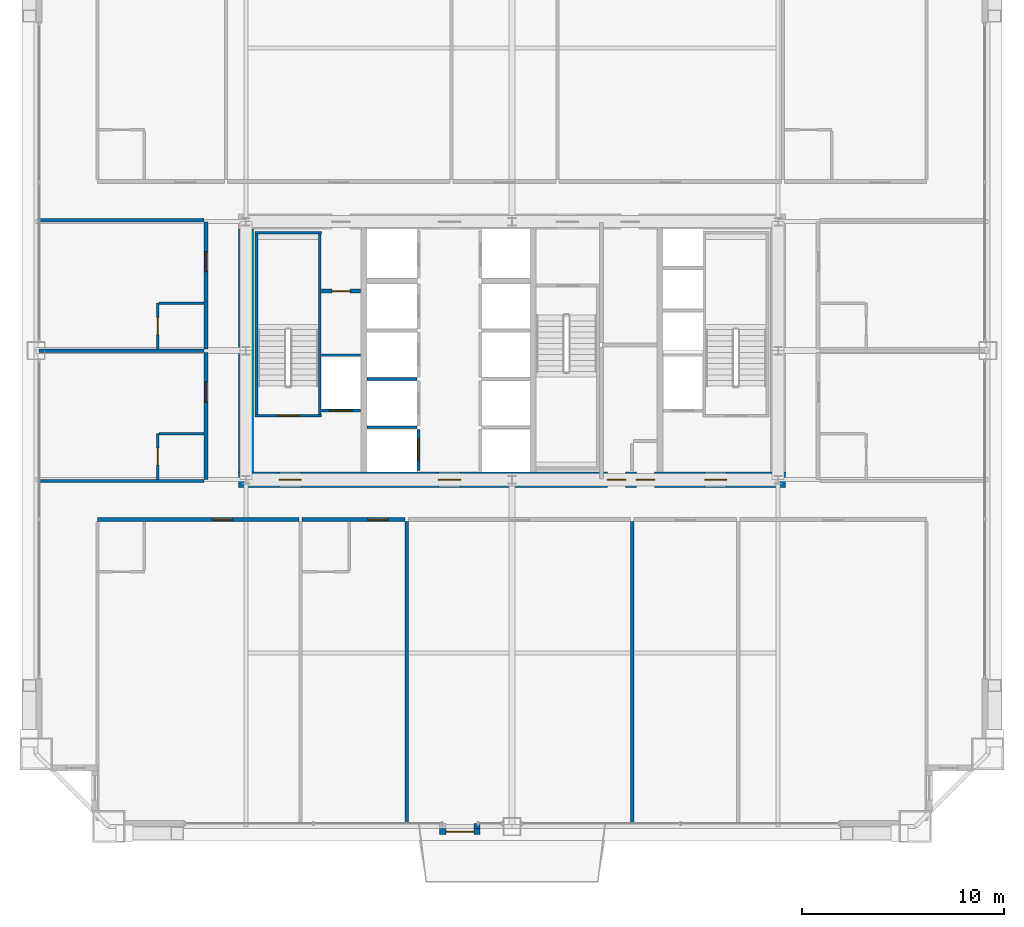
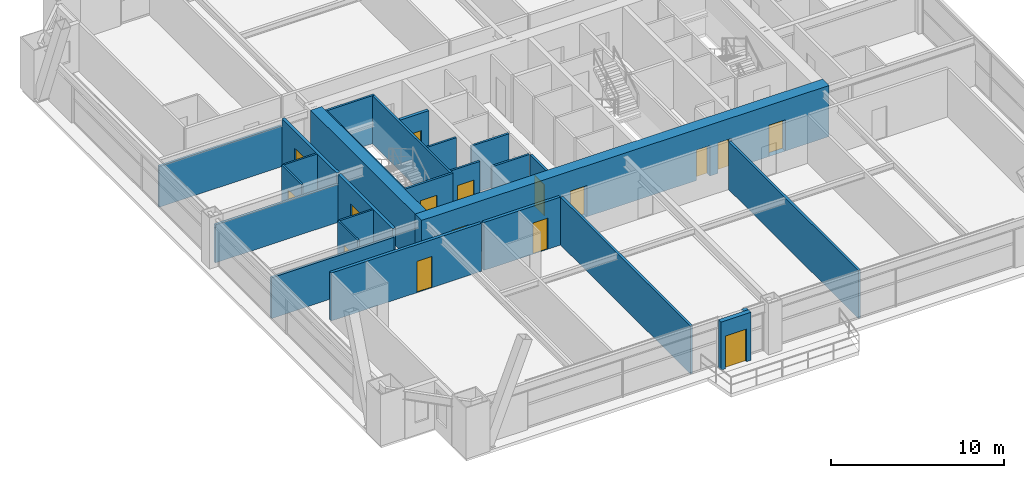
# One storey, part 39 of 43: 27 walls, 16 doors, 16 openings.
"""IFC4 building model written with IfcOpenShell, lengths in metres."""

from ifc_helpers import new_model, si_unit, direction, frame, frame_2d, origin, place, context, subcontext, project, spatial, rectangle, extrude, source, transform, mapped, material, layer, layer_set, type_object, element, fill, save


model = new_model("IFC4")

# Units and contexts
model_context = context("Model", 3, precision=1e-05, world=origin(), true_north=direction((0.0, 1.0)))
body_context = subcontext(model_context, "Body", "Model", "MODEL_VIEW")
ifc_project = project(units=[si_unit("LENGTHUNIT", "METRE"), si_unit("AREAUNIT", "SQUARE_METRE"), si_unit("VOLUMEUNIT", "CUBIC_METRE"), si_unit("PLANEANGLEUNIT", "RADIAN"), si_unit("MASSUNIT", "GRAM", prefix="KILO"), si_unit("THERMODYNAMICTEMPERATUREUNIT", "KELVIN"), si_unit("POWERUNIT", "WATT")], contexts=[model_context])

# Site, building, storey
site_placement = place(None, origin())
site = spatial("IfcSite", under=ifc_project, at=site_placement, CompositionType="ELEMENT")
building_placement = place(site_placement, origin())
building = spatial("IfcBuilding", under=site, at=building_placement, Name="Yuzanri Waterfront Tower", CompositionType="ELEMENT")
storey_placement = place(building_placement, frame((0.0, 0.0, 138.0)))
storey = spatial("IfcBuildingStorey", under=building, at=storey_placement, Name="L36", CompositionType="ELEMENT", Elevation=138.0)

# Wall, opening, door
ifc_material_1 = material(Name="Moisture-Resistant Gypsum Stud Wall", Category="gypsum")
ifc_layer_1 = layer(ifc_material_1, 0.1201171875)
ifc_layer_set_1 = layer_set([ifc_layer_1], Name="Moisture-Resistant Gypsum Stud Wall")
wall_type_1 = type_object("IfcWallType", Name="Bathroom and Kitchen Wet Partition 120", PredefinedType="PARTITIONING", material=ifc_layer_set_1)
wall_1_placement = place(storey_placement, frame((19.43994140625, 19.409912109375, 0.0), z_axis=(0.0, 0.0, 1.0), x_axis=(0.0, 1.0, 0.0)))
wall_1 = element("IfcWall", 1, at=wall_1_placement, inside=storey, type_object=wall_type_1, Name="L36 Partition UW-L36-W1-BW", PredefinedType="PARTITIONING", context=body_context, shape_type="SweptSolid", body=[
    extrude(rectangle(XDim=2.280029296875, YDim=0.1201171875, at=frame_2d((1.14013671875, 0.0))), origin(), (0.0, 0.0, 1.0), 3.3798828125),
])
opening_1_placement = place(wall_1_placement, frame((0.715087890625, 0.0, 0.0)))
opening_1 = element("IfcOpeningElement", 2, at=opening_1_placement, cuts=wall_1, Name="Opening ID-0850", PredefinedType="OPENING", context=body_context, shape_type="SweptSolid", body=[
    extrude(rectangle(XDim=0.85009765625, YDim=2.10009765625, at=frame_2d((0.425048828125, 1.050048828125))), frame((0.0, 0.074951171875, 0.0), z_axis=(0.0, -1.0, 0.0), x_axis=(1.0, 0.0, 0.0)), (0.0, 0.0, 1.0), 0.14990234375),
])
ifc_material_2 = material(Name="Moisture-Resistant Lacquered Timber", Category="wood")
door_type_1 = type_object("IfcDoorType", Name="En-Suite Bathroom and Kitchen Swing Door 850x2100", OperationType="NOTDEFINED", PredefinedType="DOOR", material=ifc_material_2)
shared_shape_1 = source(origin(), body_context, "Body", "SweptSolid", [
    extrude(rectangle(XDim=0.85009765625, YDim=2.10009765625, at=frame_2d((0.425048828125, 1.050048828125))), frame((0.0, 0.02490234375, 0.0), z_axis=(0.0, -1.0, 0.0), x_axis=(1.0, 0.0, 0.0)), (0.0, 0.0, 1.0), 0.050048828125),
])
door_1_placement = place(opening_1_placement, origin())
door_1 = element("IfcDoor", 3, at=door_1_placement, inside=storey, type_object=door_type_1, Name="L36 Guest En-Suite Door", OperationType="SINGLE_SWING_LEFT", OverallHeight=2.10009765625, OverallWidth=0.85009765625, PredefinedType="DOOR", context=body_context, shape_type="MappedRepresentation", body=[
    mapped(shared_shape_1, transform((0.0, 0.0, 0.0), scale=1.0)),
])
fill(opening_1, door_1)

wall_2_placement = place(storey_placement, frame((19.43994140625, 25.8798828125, 0.0), z_axis=(0.0, 0.0, 1.0), x_axis=(0.0, 1.0, 0.0)))
wall_2 = element("IfcWall", 4, at=wall_2_placement, inside=storey, type_object=wall_type_1, Name="L36 Partition UW-L36-W2-BW", PredefinedType="PARTITIONING", context=body_context, shape_type="SweptSolid", body=[
    extrude(rectangle(XDim=2.280029296875, YDim=0.1201171875, at=frame_2d((1.14013671875, 0.0))), origin(), (0.0, 0.0, 1.0), 3.3798828125),
])
opening_2_placement = place(wall_2_placement, frame((0.715087890625, 0.0, 0.0)))
opening_2 = element("IfcOpeningElement", 5, at=opening_2_placement, cuts=wall_2, Name="Opening ID-0850", PredefinedType="OPENING", context=body_context, shape_type="SweptSolid", body=[
    extrude(rectangle(XDim=0.85009765625, YDim=2.10009765625, at=frame_2d((0.425048828125, 1.050048828125))), frame((0.0, 0.074951171875, 0.0), z_axis=(0.0, -1.0, 0.0), x_axis=(1.0, 0.0, 0.0)), (0.0, 0.0, 1.0), 0.14990234375),
])
door_2_placement = place(opening_2_placement, origin())
door_2 = element("IfcDoor", 6, at=door_2_placement, inside=storey, type_object=door_type_1, Name="L36 Guest En-Suite Door", OperationType="SINGLE_SWING_LEFT", OverallHeight=2.10009765625, OverallWidth=0.85009765625, PredefinedType="DOOR", context=body_context, shape_type="MappedRepresentation", body=[
    mapped(shared_shape_1, transform((0.0, 0.0, 0.0), scale=1.0)),
])
fill(opening_2, door_2)

ifc_material_3 = material(Name="Honed Chongqing Dark Basalt Stone", Category="masonry")
ifc_layer_2 = layer(ifc_material_3, 0.300048828125)
ifc_layer_set_2 = layer_set([ifc_layer_2], Name="Honed Chongqing Dark Basalt Stone")
wall_type_2 = type_object("IfcWallType", Name="Bronze Rainscreen Insulated Spandrel Portal Wall 300", PredefinedType="SOLIDWALL", material=ifc_layer_set_2)
wall_3_placement = place(storey_placement, frame((33.416015625, 1.949951171875, 0.0), z_axis=(0.0, 0.0, 1.0), x_axis=(1.0, 0.0, 0.0)))
wall_3 = element("IfcWall", 7, at=wall_3_placement, inside=storey, type_object=wall_type_2, Name="L36 S Terrace Door Portal Wall", PredefinedType="SOLIDWALL", context=body_context, shape_type="SweptSolid", body=[
    extrude(rectangle(XDim=2.0, YDim=0.300048828125, at=frame_2d((1.0, 0.0))), origin(), (0.0, 0.0, 1.0), 3.3798828125),
])
opening_3_placement = place(wall_3_placement, frame((0.300048828125, 0.0, 0.0)))
opening_3 = element("IfcOpeningElement", 8, at=opening_3_placement, cuts=wall_3, Name="Opening TD-1400", PredefinedType="OPENING", context=body_context, shape_type="SweptSolid", body=[
    extrude(rectangle(XDim=1.39990234375, YDim=2.300048828125, at=frame_2d((0.699951171875, 1.14990234375))), frame((0.0, 0.1650390625, 0.0), z_axis=(0.0, -1.0, 0.0), x_axis=(1.0, 0.0, 0.0)), (0.0, 0.0, 1.0), 0.329833984375),
])
ifc_material_4 = material(Name="Anodized Architectural Bronze", Category="metal")
door_type_2 = type_object("IfcDoorType", Name="Anodized Bronze Balcony and Terrace Glazed Double Door 1400x2300", OperationType="NOTDEFINED", PredefinedType="DOOR", material=ifc_material_4)
shared_shape_2 = source(origin(), body_context, "Body", "SweptSolid", [
    extrude(rectangle(XDim=1.39990234375, YDim=2.300048828125, at=frame_2d((0.699951171875, 1.14990234375))), frame((0.0, 0.02490234375, 0.0), z_axis=(0.0, -1.0, 0.0), x_axis=(1.0, 0.0, 0.0)), (0.0, 0.0, 1.0), 0.050048828125),
])
door_3_placement = place(opening_3_placement, origin())
door_3 = element("IfcDoor", 9, at=door_3_placement, inside=storey, type_object=door_type_2, Name="L36 S Terrace Glazed Double Door", OperationType="DOUBLE_DOOR_SINGLE_SWING", OverallHeight=2.300048828125, OverallWidth=1.39990234375, PredefinedType="DOOR", context=body_context, shape_type="MappedRepresentation", body=[
    mapped(shared_shape_2, transform((0.0, 0.0, 0.0), scale=1.0)),
])
fill(opening_3, door_3)

# Wall, openings, doors
ifc_material_5 = material(Name="Concrete C55", Category="concrete")
ifc_layer_3 = layer(ifc_material_5, 0.75)
ifc_layer_set_3 = layer_set([ifc_layer_3], Name="Concrete C55")
wall_type_3 = type_object("IfcWallType", Name="Concrete C55 Low-Mid Zone Core Shear Wall 750", PredefinedType="SHEAR", material=ifc_layer_set_3)
wall_4_placement = place(storey_placement, frame((23.425048828125, 19.39990234375, 0.0), z_axis=(0.0, 0.0, 1.0), x_axis=(1.0, 0.0, 0.0)))
wall_4 = element("IfcWall", 10, at=wall_4_placement, inside=storey, type_object=wall_type_3, Name="L36 Core South Shear Wall", PredefinedType="SHEAR", context=body_context, shape_type="SweptSolid", body=[
    extrude(rectangle(XDim=27.14990234375, YDim=0.75, at=frame_2d((13.574951171875, 0.0))), origin(), (0.0, 0.0, 1.0), 3.60009765625),
])
opening_4_placement = place(wall_4_placement, frame((2.02490234375, 0.0, 0.0)))
opening_4 = element("IfcOpeningElement", 11, at=opening_4_placement, cuts=wall_4, Name="Opening FD-1100", PredefinedType="OPENING", context=body_context, shape_type="SweptSolid", body=[
    extrude(rectangle(XDim=1.10009765625, YDim=2.199951171875, at=frame_2d((0.550048828125, 1.10009765625))), frame((0.0, 0.389892578125, 0.0), z_axis=(0.0, -1.0, 0.0), x_axis=(1.0, 0.0, 0.0)), (0.0, 0.0, 1.0), 0.77978515625),
])
opening_5_placement = place(wall_4_placement, frame((9.925048828125, 0.0, 0.0)))
opening_5 = element("IfcOpeningElement", 12, at=opening_5_placement, cuts=wall_4, Name="Opening FD-1100", PredefinedType="OPENING", context=body_context, shape_type="SweptSolid", body=[
    extrude(rectangle(XDim=1.10009765625, YDim=2.199951171875, at=frame_2d((0.550048828125, 1.10009765625))), frame((0.0, 0.389892578125, 0.0), z_axis=(0.0, -1.0, 0.0), x_axis=(1.0, 0.0, 0.0)), (0.0, 0.0, 1.0), 0.77978515625),
])
opening_6_placement = place(wall_4_placement, frame((23.125, 0.0, 0.0)))
opening_6 = element("IfcOpeningElement", 13, at=opening_6_placement, cuts=wall_4, Name="Opening FD-1100", PredefinedType="OPENING", context=body_context, shape_type="SweptSolid", body=[
    extrude(rectangle(XDim=1.10009765625, YDim=2.199951171875, at=frame_2d((0.550048828125, 1.10009765625))), frame((0.0, 0.389892578125, 0.0), z_axis=(0.0, -1.0, 0.0), x_axis=(1.0, 0.0, 0.0)), (0.0, 0.0, 1.0), 0.77978515625),
])
opening_7_placement = place(wall_4_placement, frame((19.7451171875, 0.0, 0.0)))
opening_7 = element("IfcOpeningElement", 14, at=opening_7_placement, cuts=wall_4, Name="Opening FD-0900", PredefinedType="OPENING", context=body_context, shape_type="SweptSolid", body=[
    extrude(rectangle(XDim=0.89990234375, YDim=2.14990234375, at=frame_2d((0.449951171875, 1.074951171875))), frame((0.0, 0.389892578125, 0.0), z_axis=(0.0, -1.0, 0.0), x_axis=(1.0, 0.0, 0.0)), (0.0, 0.0, 1.0), 0.77978515625),
])
opening_8_placement = place(wall_4_placement, frame((18.304931640625, 0.0, 0.0)))
opening_8 = element("IfcOpeningElement", 15, at=opening_8_placement, cuts=wall_4, Name="Opening FD-0900", PredefinedType="OPENING", context=body_context, shape_type="SweptSolid", body=[
    extrude(rectangle(XDim=0.89990234375, YDim=2.14990234375, at=frame_2d((0.449951171875, 1.074951171875))), frame((0.0, 0.389892578125, 0.0), z_axis=(0.0, -1.0, 0.0), x_axis=(1.0, 0.0, 0.0)), (0.0, 0.0, 1.0), 0.77978515625),
])
ifc_material_6 = material(Name="Painted Galvanized Fire Steel", Category="steel")
door_type_3 = type_object("IfcDoorType", Name="Smoke-Proof Stair and Lobby Fire Door 1100x2200", OperationType="NOTDEFINED", PredefinedType="DOOR", material=ifc_material_6)
shared_shape_3 = source(origin(), body_context, "Body", "SweptSolid", [
    extrude(rectangle(XDim=1.10009765625, YDim=2.199951171875, at=frame_2d((0.550048828125, 1.10009765625))), frame((0.0, 0.02490234375, 0.0), z_axis=(0.0, -1.0, 0.0), x_axis=(1.0, 0.0, 0.0)), (0.0, 0.0, 1.0), 0.050048828125),
])
door_4_placement = place(opening_4_placement, origin())
door_4 = element("IfcDoor", 16, at=door_4_placement, inside=storey, type_object=door_type_3, Name="L36 West Firefighting Lobby Door", OperationType="SINGLE_SWING_RIGHT", OverallHeight=2.199951171875, OverallWidth=1.10009765625, PredefinedType="DOOR", context=body_context, shape_type="MappedRepresentation", body=[
    mapped(shared_shape_3, transform((0.0, 0.0, 0.0), scale=1.0)),
])
fill(opening_4, door_4)
door_5_placement = place(opening_5_placement, origin())
door_5 = element("IfcDoor", 17, at=door_5_placement, inside=storey, type_object=door_type_3, Name="L36 Central Lift Lobby South Door", OperationType="SINGLE_SWING_LEFT", OverallHeight=2.199951171875, OverallWidth=1.10009765625, PredefinedType="DOOR", context=body_context, shape_type="MappedRepresentation", body=[
    mapped(shared_shape_3, transform((0.0, 0.0, 0.0), scale=1.0)),
])
fill(opening_5, door_5)
door_6_placement = place(opening_6_placement, origin())
door_6 = element("IfcDoor", 18, at=door_6_placement, inside=storey, type_object=door_type_3, Name="L36 East Firefighting Lobby Door", OperationType="SINGLE_SWING_RIGHT", OverallHeight=2.199951171875, OverallWidth=1.10009765625, PredefinedType="DOOR", context=body_context, shape_type="MappedRepresentation", body=[
    mapped(shared_shape_3, transform((0.0, 0.0, 0.0), scale=1.0)),
])
fill(opening_6, door_6)
ifc_material_7 = material(Name="Painted Galvanized Fire Steel", Category="steel")
door_type_4 = type_object("IfcDoorType", Name="Riser and Service Room Fire Door 900x2150", OperationType="NOTDEFINED", PredefinedType="DOOR", material=ifc_material_7)
shared_shape_4 = source(origin(), body_context, "Body", "SweptSolid", [
    extrude(rectangle(XDim=0.89990234375, YDim=2.14990234375, at=frame_2d((0.449951171875, 1.074951171875))), frame((0.0, 0.02490234375, 0.0), z_axis=(0.0, -1.0, 0.0), x_axis=(1.0, 0.0, 0.0)), (0.0, 0.0, 1.0), 0.050048828125),
])
door_7_placement = place(opening_7_placement, origin())
door_7 = element("IfcDoor", 19, at=door_7_placement, inside=storey, type_object=door_type_4, Name="L36 East Wet Riser Door", OperationType="SINGLE_SWING_LEFT", OverallHeight=2.14990234375, OverallWidth=0.89990234375, PredefinedType="DOOR", context=body_context, shape_type="MappedRepresentation", body=[
    mapped(shared_shape_4, transform((0.0, 0.0, 0.0), scale=1.0)),
])
fill(opening_7, door_7)
door_8_placement = place(opening_8_placement, origin())
door_8 = element("IfcDoor", 20, at=door_8_placement, inside=storey, type_object=door_type_4, Name="L36 Meter and Valve Store Room", OperationType="SINGLE_SWING_RIGHT", OverallHeight=2.14990234375, OverallWidth=0.89990234375, PredefinedType="DOOR", context=body_context, shape_type="MappedRepresentation", body=[
    mapped(shared_shape_4, transform((0.0, 0.0, 0.0), scale=1.0)),
])
fill(opening_8, door_8)

# Wall, opening, door
ifc_material_8 = material(Name="Concrete C40", Category="concrete")
ifc_layer_4 = layer(ifc_material_8, 0.139892578125)
ifc_layer_set_4 = layer_set([ifc_layer_4], Name="Concrete C40")
wall_type_4 = type_object("IfcWallType", Name="Core Stair Liner and Hoistway Shaft Wall 140", PredefinedType="SOLIDWALL", material=ifc_layer_set_4)
wall_5_placement = place(storey_placement, frame((27.56005859375, 22.830078125, 0.0), z_axis=(0.0, 0.0, 1.0), x_axis=(1.0, 0.0, 0.0)))
wall_5 = element("IfcWall", 21, at=wall_5_placement, inside=storey, type_object=wall_type_4, Name="L36 Lift FL-01 Front Shaft Wall", PredefinedType="SOLIDWALL", context=body_context, shape_type="SweptSolid", body=[
    extrude(rectangle(XDim=1.919921875, YDim=0.139892578125, at=frame_2d((0.9599609375, 0.0))), origin(), (0.0, 0.0, 1.0), 3.3798828125),
])
opening_9_placement = place(wall_5_placement, frame((0.409912109375, 0.0, 0.0)))
opening_9 = element("IfcOpeningElement", 22, at=opening_9_placement, cuts=wall_5, Name="Opening LD-FL-01", PredefinedType="OPENING", context=body_context, shape_type="SweptSolid", body=[
    extrude(rectangle(XDim=1.10009765625, YDim=2.199951171875, at=frame_2d((0.550048828125, 1.10009765625))), frame((0.0, 0.0849609375, 0.0), z_axis=(0.0, -1.0, 0.0), x_axis=(1.0, 0.0, 0.0)), (0.0, 0.0, 1.0), 0.169677734375),
])
ifc_material_9 = material(Name="Brushed Bronze and Stainless Steel Cab", Category="steel")
door_type_5 = type_object("IfcDoorType", Name="Center-Parting Bronze Lift Landing Sliding Door 1100x2200", OperationType="NOTDEFINED", PredefinedType="DOOR", material=ifc_material_9)
shared_shape_5 = source(origin(), body_context, "Body", "SweptSolid", [
    extrude(rectangle(XDim=1.10009765625, YDim=2.199951171875, at=frame_2d((0.550048828125, 1.10009765625))), frame((0.0, 0.02490234375, 0.0), z_axis=(0.0, -1.0, 0.0), x_axis=(1.0, 0.0, 0.0)), (0.0, 0.0, 1.0), 0.050048828125),
])
door_9_placement = place(opening_9_placement, origin())
door_9 = element("IfcDoor", 23, at=door_9_placement, inside=storey, type_object=door_type_5, Name="L36 FL-01 Lift Landing Sliding Door", OperationType="SLIDING_TO_LEFT", OverallHeight=2.199951171875, OverallWidth=1.10009765625, PredefinedType="DOOR", context=body_context, shape_type="MappedRepresentation", body=[
    mapped(shared_shape_5, transform((0.0, 0.0, 0.0), scale=1.0)),
])
fill(opening_9, door_9)

wall_6_placement = place(storey_placement, frame((32.3701171875, 19.860107421875, 0.0), z_axis=(0.0, 0.0, 1.0), x_axis=(0.0, 1.0, 0.0)))
wall_6 = element("IfcWall", 24, at=wall_6_placement, inside=storey, type_object=wall_type_4, Name="L36 Lift PL-01 Front Shaft Wall", PredefinedType="SOLIDWALL", context=body_context, shape_type="SweptSolid", body=[
    extrude(rectangle(XDim=2.039794921875, YDim=0.139892578125, at=frame_2d((1.02001953125, 0.0))), origin(), (0.0, 0.0, 1.0), 3.3798828125),
])
opening_10_placement = place(wall_6_placement, frame((0.469970703125, 0.0, 0.0)))
opening_10 = element("IfcOpeningElement", 25, at=opening_10_placement, cuts=wall_6, Name="Opening LD-PL-01", PredefinedType="OPENING", context=body_context, shape_type="SweptSolid", body=[
    extrude(rectangle(XDim=1.10009765625, YDim=2.199951171875, at=frame_2d((0.550048828125, 1.10009765625))), frame((0.0, 0.0849609375, 0.0), z_axis=(0.0, -1.0, 0.0), x_axis=(1.0, 0.0, 0.0)), (0.0, 0.0, 1.0), 0.169677734375),
])
door_10_placement = place(opening_10_placement, origin())
door_10 = element("IfcDoor", 26, at=door_10_placement, inside=storey, type_object=door_type_5, Name="L36 PL-01 Lift Landing Sliding Door", OperationType="SLIDING_TO_LEFT", OverallHeight=2.199951171875, OverallWidth=1.10009765625, PredefinedType="DOOR", context=body_context, shape_type="MappedRepresentation", body=[
    mapped(shared_shape_5, transform((0.0, 0.0, 0.0), scale=1.0)),
])
fill(opening_10, door_10)

wall_7_placement = place(storey_placement, frame((24.260009765625, 22.570068359375, 0.0), z_axis=(0.0, 0.0, 1.0), x_axis=(1.0, 0.0, 0.0)))
wall_7 = element("IfcWall", 27, at=wall_7_placement, inside=storey, type_object=wall_type_4, Name="L36 Shaft Wall STW-L36-ST-01-S", PredefinedType="SOLIDWALL", context=body_context, shape_type="SweptSolid", body=[
    extrude(rectangle(XDim=3.280029296875, YDim=0.139892578125, at=frame_2d((1.64013671875, 0.0))), origin(), (0.0, 0.0, 1.0), 3.3798828125),
])
opening_11_placement = place(wall_7_placement, frame((1.090087890625, 0.0, 0.0)))
opening_11 = element("IfcOpeningElement", 28, at=opening_11_placement, cuts=wall_7, Name="Opening FD-1100", PredefinedType="OPENING", context=body_context, shape_type="SweptSolid", body=[
    extrude(rectangle(XDim=1.10009765625, YDim=2.199951171875, at=frame_2d((0.550048828125, 1.10009765625))), frame((0.0, 0.0849609375, 0.0), z_axis=(0.0, -1.0, 0.0), x_axis=(1.0, 0.0, 0.0)), (0.0, 0.0, 1.0), 0.169677734375),
])
door_11_placement = place(opening_11_placement, origin())
door_11 = element("IfcDoor", 29, at=door_11_placement, inside=storey, type_object=door_type_3, Name="L36 Stair ST-01 Fire Door", OperationType="SINGLE_SWING_LEFT", OverallHeight=2.199951171875, OverallWidth=1.10009765625, PredefinedType="DOOR", context=body_context, shape_type="MappedRepresentation", body=[
    mapped(shared_shape_3, transform((0.0, 0.0, 0.0), scale=1.0)),
])
fill(opening_11, door_11)

ifc_material_10 = material(Name="Autoclaved Aerated Concrete Blockwork", Category="masonry")
ifc_layer_5 = layer(ifc_material_10, 0.199951171875)
ifc_layer_set_5 = layer_set([ifc_layer_5], Name="Autoclaved Aerated Concrete Blockwork")
wall_type_5 = type_object("IfcWallType", Name="Corridor and Unit Party Fire Wall 200", PredefinedType="PARTITIONING", material=ifc_layer_set_5)
wall_8_placement = place(storey_placement, frame((27.56005859375, 28.75, 0.0), z_axis=(0.0, 0.0, 1.0), x_axis=(1.0, 0.0, 0.0)))
wall_8 = element("IfcWall", 30, at=wall_8_placement, inside=storey, type_object=wall_type_5, Name="L36 Partition CRW-L36-ERTR", PredefinedType="PARTITIONING", context=body_context, shape_type="SweptSolid", body=[
    extrude(rectangle(XDim=1.919921875, YDim=0.199951171875, at=frame_2d((0.9599609375, 0.0))), origin(), (0.0, 0.0, 1.0), 3.3798828125),
])
opening_12_placement = place(wall_8_placement, frame((0.510009765625, 0.0, 0.0)))
opening_12 = element("IfcOpeningElement", 31, at=opening_12_placement, cuts=wall_8, Name="Opening FD-0900", PredefinedType="OPENING", context=body_context, shape_type="SweptSolid", body=[
    extrude(rectangle(XDim=0.89990234375, YDim=2.14990234375, at=frame_2d((0.449951171875, 1.074951171875))), frame((0.0, 0.11474609375, 0.0), z_axis=(0.0, -1.0, 0.0), x_axis=(1.0, 0.0, 0.0)), (0.0, 0.0, 1.0), 0.229736328125),
])
door_12_placement = place(opening_12_placement, origin())
door_12 = element("IfcDoor", 32, at=door_12_placement, inside=storey, type_object=door_type_4, Name="L36 Electrical Riser Door", OperationType="SINGLE_SWING_RIGHT", OverallHeight=2.14990234375, OverallWidth=0.89990234375, PredefinedType="DOOR", context=body_context, shape_type="MappedRepresentation", body=[
    mapped(shared_shape_4, transform((0.0, 0.0, 0.0), scale=1.0)),
])
fill(opening_12, door_12)

wall_9_placement = place(storey_placement, frame((16.43994140625, 17.419921875, 0.0), z_axis=(0.0, 0.0, 1.0), x_axis=(1.0, 0.0, 0.0)))
wall_9 = element("IfcWall", 33, at=wall_9_placement, inside=storey, type_object=wall_type_5, Name="L36 Partition UW-L36-S1-CN", PredefinedType="PARTITIONING", context=body_context, shape_type="SweptSolid", body=[
    extrude(rectangle(XDim=9.994140625, YDim=0.199951171875, at=frame_2d((4.9970703125, 0.0))), origin(), (0.0, 0.0, 1.0), 3.3798828125),
])
opening_13_placement = place(wall_9_placement, frame((5.701904296875, 0.0, 0.0)))
opening_13 = element("IfcOpeningElement", 34, at=opening_13_placement, cuts=wall_9, Name="Opening FD-1000", PredefinedType="OPENING", context=body_context, shape_type="SweptSolid", body=[
    extrude(rectangle(XDim=1.0, YDim=2.199951171875, at=frame_2d((0.5, 1.10009765625))), frame((0.0, 0.11474609375, 0.0), z_axis=(0.0, -1.0, 0.0), x_axis=(1.0, 0.0, 0.0)), (0.0, 0.0, 1.0), 0.229736328125),
])
ifc_material_11 = material(Name="Engineered Oak Fire-Rated Timber", Category="wood")
door_type_6 = type_object("IfcDoorType", Name="Guestroom and Apartment Entrance Fire Door 1000x2200", OperationType="NOTDEFINED", PredefinedType="DOOR", material=ifc_material_11)
shared_shape_6 = source(origin(), body_context, "Body", "SweptSolid", [
    extrude(rectangle(XDim=1.0, YDim=2.199951171875, at=frame_2d((0.5, 1.10009765625))), frame((0.0, 0.02490234375, 0.0), z_axis=(0.0, -1.0, 0.0), x_axis=(1.0, 0.0, 0.0)), (0.0, 0.0, 1.0), 0.050048828125),
])
door_13_placement = place(opening_13_placement, origin())
door_13 = element("IfcDoor", 35, at=door_13_placement, inside=storey, type_object=door_type_6, Name="L36 Junior Suite Entrance Door", OperationType="SINGLE_SWING_RIGHT", OverallHeight=2.199951171875, OverallWidth=1.0, PredefinedType="DOOR", context=body_context, shape_type="MappedRepresentation", body=[
    mapped(shared_shape_6, transform((0.0, 0.0, 0.0), scale=1.0)),
])
fill(opening_13, door_13)

wall_10_placement = place(storey_placement, frame((26.593994140625, 17.419921875, 0.0), z_axis=(0.0, 0.0, 1.0), x_axis=(1.0, 0.0, 0.0)))
wall_10 = element("IfcWall", 36, at=wall_10_placement, inside=storey, type_object=wall_type_5, Name="L36 Partition UW-L36-S2-CN", PredefinedType="PARTITIONING", context=body_context, shape_type="SweptSolid", body=[
    extrude(rectangle(XDim=5.10400390625, YDim=0.199951171875, at=frame_2d((2.552001953125, 0.0))), origin(), (0.0, 0.0, 1.0), 3.3798828125),
])
opening_14_placement = place(wall_10_placement, frame((3.257080078125, 0.0, 0.0)))
opening_14 = element("IfcOpeningElement", 37, at=opening_14_placement, cuts=wall_10, Name="Opening FD-1000", PredefinedType="OPENING", context=body_context, shape_type="SweptSolid", body=[
    extrude(rectangle(XDim=1.0, YDim=2.199951171875, at=frame_2d((0.5, 1.10009765625))), frame((0.0, 0.11474609375, 0.0), z_axis=(0.0, -1.0, 0.0), x_axis=(1.0, 0.0, 0.0)), (0.0, 0.0, 1.0), 0.229736328125),
])
door_14_placement = place(opening_14_placement, origin())
door_14 = element("IfcDoor", 38, at=door_14_placement, inside=storey, type_object=door_type_6, Name="L36 Junior Suite Entrance Door", OperationType="SINGLE_SWING_RIGHT", OverallHeight=2.199951171875, OverallWidth=1.0, PredefinedType="DOOR", context=body_context, shape_type="MappedRepresentation", body=[
    mapped(shared_shape_6, transform((0.0, 0.0, 0.0), scale=1.0)),
])
fill(opening_14, door_14)

wall_11_placement = place(storey_placement, frame((21.820068359375, 19.409912109375, 0.0), z_axis=(0.0, 0.0, 1.0), x_axis=(0.0, 1.0, 0.0)))
wall_11 = element("IfcWall", 39, at=wall_11_placement, inside=storey, type_object=wall_type_5, Name="L36 Partition UW-L36-W1-CW", PredefinedType="PARTITIONING", context=body_context, shape_type="SweptSolid", body=[
    extrude(rectangle(XDim=6.31005859375, YDim=0.199951171875, at=frame_2d((3.155029296875, 0.0))), origin(), (0.0, 0.0, 1.0), 3.3798828125),
])
opening_15_placement = place(wall_11_placement, frame((3.8349609375, 0.0, 0.0)))
opening_15 = element("IfcOpeningElement", 40, at=opening_15_placement, cuts=wall_11, Name="Opening FD-1000", PredefinedType="OPENING", context=body_context, shape_type="SweptSolid", body=[
    extrude(rectangle(XDim=1.0, YDim=2.199951171875, at=frame_2d((0.5, 1.10009765625))), frame((0.0, 0.11474609375, 0.0), z_axis=(0.0, -1.0, 0.0), x_axis=(1.0, 0.0, 0.0)), (0.0, 0.0, 1.0), 0.229736328125),
])
door_15_placement = place(opening_15_placement, origin())
door_15 = element("IfcDoor", 41, at=door_15_placement, inside=storey, type_object=door_type_6, Name="L36 West Guest Room Entrance Door", OperationType="SINGLE_SWING_RIGHT", OverallHeight=2.199951171875, OverallWidth=1.0, PredefinedType="DOOR", context=body_context, shape_type="MappedRepresentation", body=[
    mapped(shared_shape_6, transform((0.0, 0.0, 0.0), scale=1.0)),
])
fill(opening_15, door_15)

wall_12_placement = place(storey_placement, frame((21.820068359375, 25.8798828125, 0.0), z_axis=(0.0, 0.0, 1.0), x_axis=(0.0, 1.0, 0.0)))
wall_12 = element("IfcWall", 42, at=wall_12_placement, inside=storey, type_object=wall_type_5, Name="L36 Partition UW-L36-W2-CW", PredefinedType="PARTITIONING", context=body_context, shape_type="SweptSolid", body=[
    extrude(rectangle(XDim=6.31005859375, YDim=0.199951171875, at=frame_2d((3.155029296875, 0.0))), origin(), (0.0, 0.0, 1.0), 3.3798828125),
])
opening_16_placement = place(wall_12_placement, frame((3.8349609375, 0.0, 0.0)))
opening_16 = element("IfcOpeningElement", 43, at=opening_16_placement, cuts=wall_12, Name="Opening FD-1000", PredefinedType="OPENING", context=body_context, shape_type="SweptSolid", body=[
    extrude(rectangle(XDim=1.0, YDim=2.199951171875, at=frame_2d((0.5, 1.10009765625))), frame((0.0, 0.11474609375, 0.0), z_axis=(0.0, -1.0, 0.0), x_axis=(1.0, 0.0, 0.0)), (0.0, 0.0, 1.0), 0.229736328125),
])
door_16_placement = place(opening_16_placement, origin())
door_16 = element("IfcDoor", 44, at=door_16_placement, inside=storey, type_object=door_type_6, Name="L36 West Guest Room Entrance Door", OperationType="SINGLE_SWING_RIGHT", OverallHeight=2.199951171875, OverallWidth=1.0, PredefinedType="DOOR", context=body_context, shape_type="MappedRepresentation", body=[
    mapped(shared_shape_6, transform((0.0, 0.0, 0.0), scale=1.0)),
])
fill(opening_16, door_16)

# Walls
shared_shape_7 = source(origin(), body_context, "Body", "SweptSolid", [
    extrude(rectangle(XDim=12.050048828125, YDim=0.75, at=frame_2d((6.02490234375, 0.0))), origin(), (0.0, 0.0, 1.0), 3.60009765625),
])
wall_13_placement = place(storey_placement, frame((23.800048828125, 19.77490234375, 0.0), z_axis=(0.0, 0.0, 1.0), x_axis=(0.0, 1.0, 0.0)))
element("IfcWall", 45, at=wall_13_placement, inside=storey, type_object=wall_type_3, Name="L36 Core West Shear Wall", PredefinedType="SHEAR", context=body_context, shape_type="MappedRepresentation", body=[
    mapped(shared_shape_7, transform((0.0, 0.0, 0.0), scale=1.0)),
])
shared_shape_8 = source(origin(), body_context, "Body", "SweptSolid", [
    extrude(rectangle(XDim=0.25, YDim=0.300048828125, at=frame_2d((0.125, 0.0))), origin(), (0.0, 0.0, 1.0), 3.3798828125),
])
wall_14_placement = place(storey_placement, frame((35.26611328125, 2.10009765625, 0.0), z_axis=(0.0, 0.0, 1.0), x_axis=(0.0, 1.0, 0.0)))
element("IfcWall", 46, at=wall_14_placement, inside=storey, type_object=wall_type_2, Name="L36 S Terrace Portal Right Return", PredefinedType="SOLIDWALL", context=body_context, shape_type="MappedRepresentation", body=[
    mapped(shared_shape_8, transform((0.0, 0.0, 0.0), scale=1.0)),
])
shared_shape_9 = source(origin(), body_context, "Body", "SweptSolid", [
    extrude(rectangle(XDim=1.919921875, YDim=0.139892578125, at=frame_2d((0.9599609375, 0.0))), origin(), (0.0, 0.0, 1.0), 3.3798828125),
])
wall_15_placement = place(storey_placement, frame((27.56005859375, 25.570068359375, 0.0), z_axis=(0.0, 0.0, 1.0), x_axis=(1.0, 0.0, 0.0)))
element("IfcWall", 47, at=wall_15_placement, inside=storey, type_object=wall_type_4, Name="L36 Lift FL-01 Back Shaft Wall", PredefinedType="SOLIDWALL", context=body_context, shape_type="MappedRepresentation", body=[
    mapped(shared_shape_9, transform((0.0, 0.0, 0.0), scale=1.0)),
])
shared_shape_10 = source(origin(), body_context, "Body", "SweptSolid", [
    extrude(rectangle(XDim=2.5, YDim=0.139892578125, at=frame_2d((1.25, 0.0))), origin(), (0.0, 0.0, 1.0), 3.3798828125),
])
for number, where, z_axis, x_axis, name in (
    (48, (29.800048828125, 22.0, 0.0), (0.0, 0.0, 1.0), (1.0, 0.0, 0.0), "L36 Lift PL-01 Divider Wall"),
    (49, (29.800048828125, 24.39990234375, 0.0), (0.0, 0.0, 1.0), (1.0, 0.0, 0.0), "L36 Lift PL-02 Divider Wall"),
):
    element("IfcWall", number, at=place(storey_placement, frame(where, z_axis=z_axis, x_axis=x_axis)), inside=storey, type_object=wall_type_4, Name=name, PredefinedType="SOLIDWALL", context=body_context, shape_type="MappedRepresentation", body=[
        mapped(shared_shape_10, transform((0.0, 0.0, 0.0), scale=1.0)),
    ])
shared_shape_11 = source(origin(), body_context, "Body", "SweptSolid", [
    extrude(rectangle(XDim=3.280029296875, YDim=0.139892578125, at=frame_2d((1.64013671875, 0.0))), origin(), (0.0, 0.0, 1.0), 3.3798828125),
])
wall_16_placement = place(storey_placement, frame((24.260009765625, 31.64990234375, 0.0), z_axis=(0.0, 0.0, 1.0), x_axis=(1.0, 0.0, 0.0)))
element("IfcWall", 50, at=wall_16_placement, inside=storey, type_object=wall_type_4, Name="L36 Stair ST-01 North Shaft Wall", PredefinedType="SOLIDWALL", context=body_context, shape_type="MappedRepresentation", body=[
    mapped(shared_shape_11, transform((0.0, 0.0, 0.0), scale=1.0)),
])
shared_shape_12 = source(origin(), body_context, "Body", "SweptSolid", [
    extrude(rectangle(XDim=8.940185546875, YDim=0.139892578125, at=frame_2d((4.47021484375, 0.0))), origin(), (0.0, 0.0, 1.0), 3.3798828125),
])
for number, where, z_axis, x_axis, name in (
    (51, (24.330078125, 22.639892578125, 0.0), (0.0, 0.0, 1.0), (0.0, 1.0, 0.0), "L36 Stair ST-01 West Shaft Wall"),
    (52, (27.469970703125, 22.639892578125, 0.0), (0.0, 0.0, 1.0), (0.0, 1.0, 0.0), "L36 Stair ST-01 East Shaft Wall"),
):
    element("IfcWall", number, at=place(storey_placement, frame(where, z_axis=z_axis, x_axis=x_axis)), inside=storey, type_object=wall_type_4, Name=name, PredefinedType="SOLIDWALL", context=body_context, shape_type="MappedRepresentation", body=[
        mapped(shared_shape_12, transform((0.0, 0.0, 0.0), scale=1.0)),
    ])
shared_shape_13 = source(origin(), body_context, "Body", "SweptSolid", [
    extrude(rectangle(XDim=2.219970703125, YDim=0.1201171875, at=frame_2d((1.10986328125, 0.0))), origin(), (0.0, 0.0, 1.0), 3.3798828125),
])
for number, where, z_axis, x_axis, name in (
    (53, (19.5, 21.68994140625, 0.0), (0.0, 0.0, 1.0), (1.0, 0.0, 0.0), "L36-W1 En-Suite Top Wall"),
    (54, (19.5, 28.159912109375, 0.0), (0.0, 0.0, 1.0), (1.0, 0.0, 0.0), "L36-W2 En-Suite Top Wall"),
):
    element("IfcWall", number, at=place(storey_placement, frame(where, z_axis=z_axis, x_axis=x_axis)), inside=storey, type_object=wall_type_1, Name=name, PredefinedType="PARTITIONING", context=body_context, shape_type="MappedRepresentation", body=[
        mapped(shared_shape_13, transform((0.0, 0.0, 0.0), scale=1.0)),
    ])
ifc_material_12 = material(Name="Gypsum Fireboard Acoustic Stud Wall", Category="gypsum")
ifc_layer_6 = layer(ifc_material_12, 0.159912109375)
ifc_layer_set_6 = layer_set([ifc_layer_6], Name="Gypsum Fireboard Acoustic Stud Wall")
wall_type_6 = type_object("IfcWallType", Name="Acoustic Suite Demising Partition 160", PredefinedType="PARTITIONING", material=ifc_layer_set_6)
shared_shape_14 = source(origin(), body_context, "Body", "SweptSolid", [
    extrude(rectangle(XDim=8.169921875, YDim=0.159912109375, at=frame_2d((4.0849609375, 0.0))), origin(), (0.0, 0.0, 1.0), 2.675048828125),
])
wall_17_placement = place(storey_placement, frame((13.550048828125, 25.800048828125, 0.0), z_axis=(0.0, 0.0, 1.0), x_axis=(1.0, 0.0, 0.0)))
element("IfcWall", 55, at=wall_17_placement, inside=storey, type_object=wall_type_6, Name="L36-W1 Wing Party Wall", PredefinedType="PARTITIONING", context=body_context, shape_type="MappedRepresentation", body=[
    mapped(shared_shape_14, transform((0.0, 0.0, 0.0), scale=1.0)),
])
shared_shape_15 = source(origin(), body_context, "Body", "SweptSolid", [
    extrude(rectangle(XDim=8.169921875, YDim=0.159912109375, at=frame_2d((4.0849609375, 0.0))), origin(), (0.0, 0.0, 1.0), 2.875),
])
for number, where, z_axis, x_axis, name in (
    (56, (13.550048828125, 19.330078125, 0.0), (0.0, 0.0, 1.0), (1.0, 0.0, 0.0), "L36-W1 Wing South End Wall"),
    (57, (13.550048828125, 32.27001953125, 0.0), (0.0, 0.0, 1.0), (1.0, 0.0, 0.0), "L36-W2 Wing North End Wall"),
):
    element("IfcWall", number, at=place(storey_placement, frame(where, z_axis=z_axis, x_axis=x_axis)), inside=storey, type_object=wall_type_6, Name=name, PredefinedType="PARTITIONING", context=body_context, shape_type="MappedRepresentation", body=[
        mapped(shared_shape_15, transform((0.0, 0.0, 0.0), scale=1.0)),
    ])
shared_shape_16 = source(origin(), body_context, "Body", "SweptSolid", [
    extrude(rectangle(XDim=14.969970703125, YDim=0.159912109375, at=frame_2d((7.48486328125, 0.0))), origin(), (0.0, 0.0, 1.0), 3.3798828125),
])
for number, where, z_axis, x_axis, name in (
    (58, (31.778076171875, 2.35009765625, 0.0), (0.0, 0.0, 1.0), (0.0, 1.0, 0.0), "L36-S2 Party Wall"),
    (59, (42.9619140625, 2.35009765625, 0.0), (0.0, 0.0, 1.0), (0.0, 1.0, 0.0), "L36-S3 Party Wall"),
):
    element("IfcWall", number, at=place(storey_placement, frame(where, z_axis=z_axis, x_axis=x_axis)), inside=storey, type_object=wall_type_6, Name=name, PredefinedType="PARTITIONING", context=body_context, shape_type="MappedRepresentation", body=[
        mapped(shared_shape_16, transform((0.0, 0.0, 0.0), scale=1.0)),
    ])

save(model, "model.ifc")
